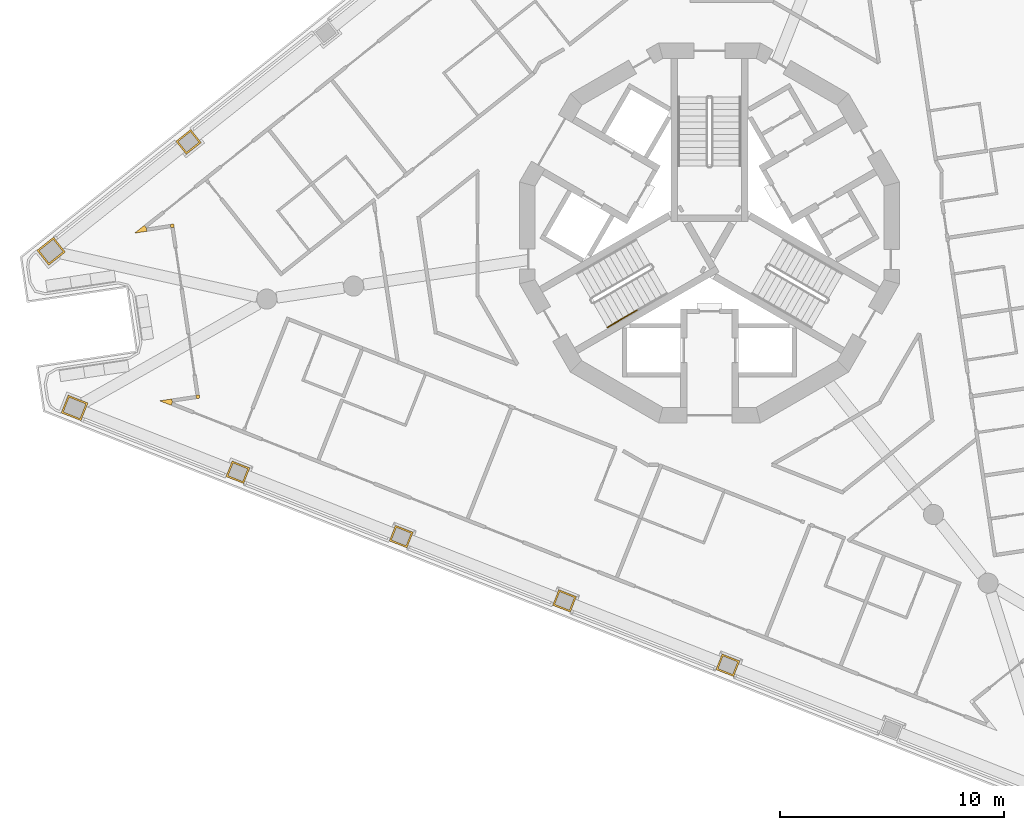
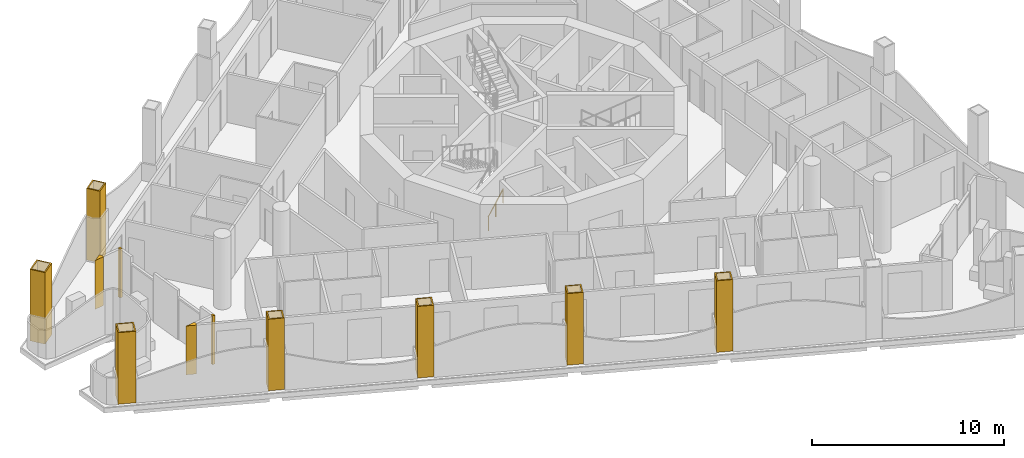
# One storey, part 10 of 16: 11 coverings, 1 railing.
"""IFC4 building model written with IfcOpenShell, lengths in metres."""

from ifc_helpers import new_model, si_unit, direction, frame, origin, origin_2d, place, context, subcontext, project, spatial, polyline, circle, outline, extrude, material, layer, layer_set, type_object, element, save


model = new_model("IFC4")

# Units and contexts
model_context = context("Model", 3, precision=1e-05, world=origin(), true_north=direction((0.0, 1.0)))
body_context = subcontext(model_context, "Body", "Model", "MODEL_VIEW")
ifc_project = project(units=[si_unit("LENGTHUNIT", "METRE"), si_unit("AREAUNIT", "SQUARE_METRE"), si_unit("VOLUMEUNIT", "CUBIC_METRE"), si_unit("PLANEANGLEUNIT", "RADIAN"), si_unit("MASSUNIT", "GRAM", prefix="KILO")], contexts=[model_context])

# Site, building, storey
site_placement = place(None, origin())
site = spatial("IfcSite", under=ifc_project, at=site_placement, CompositionType="ELEMENT")
building_placement = place(site_placement, origin())
building = spatial("IfcBuilding", under=site, at=building_placement, Name="Trine Commons Tower", CompositionType="ELEMENT")
storey_placement = place(building_placement, frame((0.0, 0.0, 226.800048828125)))
storey = spatial("IfcBuildingStorey", under=building, at=storey_placement, Name="L59", CompositionType="ELEMENT", Elevation=226.800048828125)

# Coverings
ifc_material_1 = material(Name="Aluminium-framed insulated wall panel", Category="aluminium")
ifc_layer_1 = layer(ifc_material_1, 0.14990234375)
ifc_layer_set_1 = layer_set([ifc_layer_1], Name="Aluminium-framed insulated wall panel")
covering_type_1 = type_object("IfcCoveringType", Name="Glazing corner post, aluminium", PredefinedType="CLADDING", material=ifc_layer_set_1)
covering_1_placement = place(storey_placement, origin())
element("IfcCovering", 1, at=covering_1_placement, inside=storey, type_object=covering_type_1, Name="Glazing corner post 6-01", PredefinedType="CLADDING", context=body_context, shape_type="SweptSolid", body=[
    extrude(outline(polyline([(54.83642578125, 62.5712890625), (54.814208984375, 62.7197265625), (54.720947265625, 62.837158203125), (54.28271484375, 62.488525390625), (54.83642578125, 62.5712890625)])), origin(), (0.0, 0.0, 1.0), 3.099853515625),
])
covering_2_placement = place(storey_placement, origin())
element("IfcCovering", 2, at=covering_2_placement, inside=storey, type_object=covering_type_1, Name="Glazing corner post 6-10", PredefinedType="CLADDING", context=body_context, shape_type="SweptSolid", body=[
    extrude(outline(polyline([(55.924072265625, 54.78662109375), (55.97900390625, 54.92626953125), (55.956787109375, 55.07470703125), (55.4033203125, 54.991943359375), (55.924072265625, 54.78662109375)])), origin(), (0.0, 0.0, 1.0), 3.099853515625),
])
covering_3_placement = place(storey_placement, origin())
element("IfcCovering", 3, at=covering_3_placement, inside=storey, type_object=covering_type_1, Name="Glazing corner post 6-11", PredefinedType="CLADDING", context=body_context, shape_type="SweptSolid", body=[
    extrude(outline(polyline([(57.030517578125, 55.235107421875), (57.052734375, 55.0869140625), (57.201171875, 55.10888671875), (57.178955078125, 55.25732421875), (57.030517578125, 55.235107421875)])), origin(), (0.0, 0.0, 1.0), 3.099853515625),
])
covering_4_placement = place(storey_placement, origin())
element("IfcCovering", 4, at=covering_4_placement, inside=storey, type_object=covering_type_1, Name="Glazing corner post 6-12", PredefinedType="CLADDING", context=body_context, shape_type="SweptSolid", body=[
    extrude(outline(polyline([(55.91015625, 62.731689453125), (55.91015625, 62.731689453125), (56.05859375, 62.75390625), (56.036376953125, 62.90234375), (55.887939453125, 62.880126953125), (55.91015625, 62.731689453125)])), origin(), (0.0, 0.0, 1.0), 3.099853515625),
])
ifc_material_2 = material(Name="Limestone, honed", Category="masonry")
ifc_layer_2 = layer(ifc_material_2, 0.074951171875)
ifc_layer_set_2 = layer_set([ifc_layer_2], Name="Limestone, honed")
covering_type_2 = type_object("IfcCoveringType", Name="Limestone column cladding 75", PredefinedType="CLADDING", material=ifc_layer_set_2)
covering_5_placement = place(storey_placement, origin())
element("IfcCovering", 5, at=covering_5_placement, inside=storey, type_object=covering_type_2, Name="Limestone pier cladding 6-03", PredefinedType="CLADDING", context=body_context, shape_type="SweptSolid", body=[
    extrude(outline(polyline([(80.562744140625, 43.66796875), (80.287841796875, 42.97021484375), (81.078857421875, 42.658447265625), (81.353759765625, 43.356201171875), (80.562744140625, 43.66796875)]), holes=[polyline([(80.60498046875, 43.570556640625), (80.38525390625, 43.012451171875), (81.03662109375, 42.755859375), (81.25634765625, 43.31396484375), (80.60498046875, 43.570556640625)])]), origin(), (0.0, 0.0, 1.0), 4.53662109375),
])
covering_6_placement = place(storey_placement, origin())
element("IfcCovering", 6, at=covering_6_placement, inside=storey, type_object=covering_type_2, Name="Limestone pier cladding 6-04", PredefinedType="CLADDING", context=body_context, shape_type="SweptSolid", body=[
    extrude(outline(polyline([(73.25830078125, 46.545166015625), (72.9833984375, 45.847412109375), (73.7744140625, 45.535888671875), (74.04931640625, 46.233642578125), (73.25830078125, 46.545166015625)]), holes=[polyline([(73.30078125, 46.447998046875), (73.080810546875, 45.8896484375), (73.732177734375, 45.633056640625), (73.951904296875, 46.19140625), (73.30078125, 46.447998046875)])]), origin(), (0.0, 0.0, 1.0), 4.53662109375),
])
covering_7_placement = place(storey_placement, origin())
element("IfcCovering", 7, at=covering_7_placement, inside=storey, type_object=covering_type_2, Name="Limestone pier cladding 6-05", PredefinedType="CLADDING", context=body_context, shape_type="SweptSolid", body=[
    extrude(outline(polyline([(65.9541015625, 49.42236328125), (65.67919921875, 48.724609375), (66.47021484375, 48.4130859375), (66.7451171875, 49.11083984375), (65.9541015625, 49.42236328125)]), holes=[polyline([(65.996337890625, 49.3251953125), (65.776611328125, 48.766845703125), (66.427734375, 48.51025390625), (66.647705078125, 49.068603515625), (65.996337890625, 49.3251953125)])]), origin(), (0.0, 0.0, 1.0), 4.53662109375),
])
covering_8_placement = place(storey_placement, origin())
element("IfcCovering", 8, at=covering_8_placement, inside=storey, type_object=covering_type_2, Name="Limestone pier cladding 6-06", PredefinedType="CLADDING", context=body_context, shape_type="SweptSolid", body=[
    extrude(outline(polyline([(58.64990234375, 52.2998046875), (58.375, 51.601806640625), (59.165771484375, 51.290283203125), (59.440673828125, 51.988037109375), (58.64990234375, 52.2998046875)]), holes=[polyline([(58.692138671875, 52.202392578125), (58.47216796875, 51.644287109375), (59.12353515625, 51.3876953125), (59.343505859375, 51.94580078125), (58.692138671875, 52.202392578125)])]), origin(), (0.0, 0.0, 1.0), 4.53662109375),
])
covering_9_placement = place(storey_placement, origin())
element("IfcCovering", 9, at=covering_9_placement, inside=storey, type_object=covering_type_2, Name="Limestone pier cladding 6-07", PredefinedType="CLADDING", context=body_context, shape_type="SweptSolid", body=[
    extrude(outline(polyline([(51.317138671875, 55.24169921875), (51.005615234375, 54.450927734375), (51.8896484375, 54.102783203125), (52.201171875, 54.8935546875), (51.317138671875, 55.24169921875)]), holes=[polyline([(51.359619140625, 55.14453125), (51.10302734375, 54.493408203125), (51.847412109375, 54.2001953125), (52.103759765625, 54.851318359375), (51.359619140625, 55.14453125)])]), origin(), (0.0, 0.0, 1.0), 4.53662109375),
])
covering_10_placement = place(storey_placement, origin())
element("IfcCovering", 10, at=covering_10_placement, inside=storey, type_object=covering_type_2, Name="Limestone pier cladding 6-08", PredefinedType="CLADDING", context=body_context, shape_type="SweptSolid", body=[
    extrude(outline(polyline([(51.19189453125, 61.646484375), (50.662841796875, 62.311767578125), (49.919189453125, 61.72021484375), (50.448486328125, 61.05517578125), (51.19189453125, 61.646484375)]), holes=[polyline([(51.08642578125, 61.658447265625), (50.65087890625, 62.206298828125), (50.024658203125, 61.708251953125), (50.46044921875, 61.160400390625), (51.08642578125, 61.658447265625)])]), origin(), (0.0, 0.0, 1.0), 4.53662109375),
])
covering_11_placement = place(storey_placement, origin())
element("IfcCovering", 11, at=covering_11_placement, inside=storey, type_object=covering_type_2, Name="Limestone pier cladding 6-09", PredefinedType="CLADDING", context=body_context, shape_type="SweptSolid", body=[
    extrude(outline(polyline([(57.265625, 66.54150390625), (56.798583984375, 67.12841796875), (56.13330078125, 66.599365234375), (56.600341796875, 66.012451171875), (57.265625, 66.54150390625)]), holes=[polyline([(57.16015625, 66.5537109375), (56.78662109375, 67.023193359375), (56.23876953125, 66.58740234375), (56.6123046875, 66.117919921875), (57.16015625, 66.5537109375)])]), origin(), (0.0, 0.0, 1.0), 4.53662109375),
])

# Railing
ifc_material_3 = material(Name="Stainless steel handrail", Category="steel")
railing_type = type_object("IfcRailingType", Name="Stair handrail, steel 900", PredefinedType="HANDRAIL", material=ifc_material_3)
railing_placement = place(storey_placement, frame((75.43017578125, 58.27392578125, 0.14990234375)))
element("IfcRailing", 12, at=railing_placement, inside=storey, type_object=railing_type, Name="L59 ST2C stair handrail 1", PredefinedType="HANDRAIL", context=body_context, shape_type="SweptSolid", body=[
    extrude(circle(Radius=0.02099609375, at=origin_2d()), frame((0.0, 0.0, 0.87890625), z_axis=(0.76340495495, 0.440743040072, 0.472184759798), x_axis=(-0.499992328818, 0.866029832698, 0.0)), (0.0, 0.0, 1.0), 1.7470703125),
    extrude(circle(Radius=0.01513671875, at=origin_2d()), origin(), (0.0, 0.0, 1.0), 0.85791015625),
    extrude(circle(Radius=0.01513671875, at=origin_2d()), frame((0.6669921875, 0.385009765625, 0.41259765625)), (0.0, 0.0, 1.0), 0.85791015625),
    extrude(circle(Radius=0.01513671875, at=origin_2d()), frame((1.333740234375, 0.77001953125, 0.824951171875)), (0.0, 0.0, 1.0), 0.85791015625),
])

save(model, "model.ifc")
